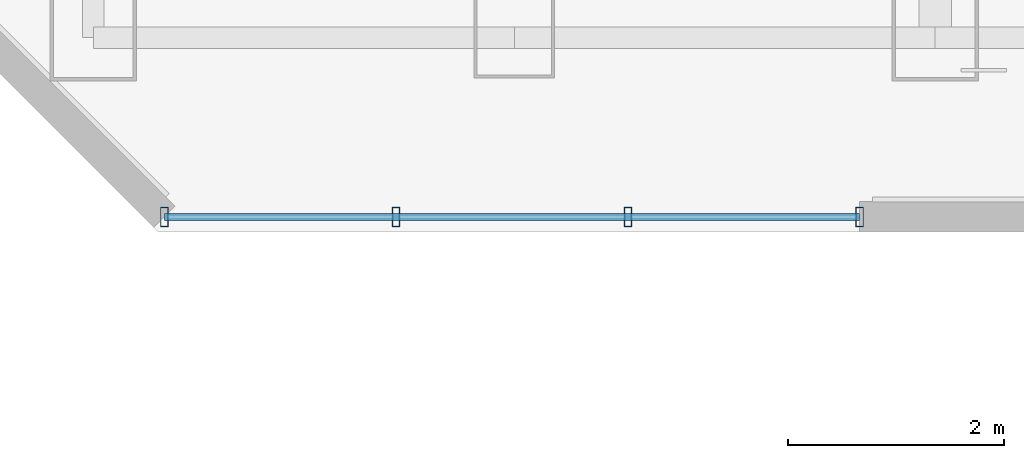
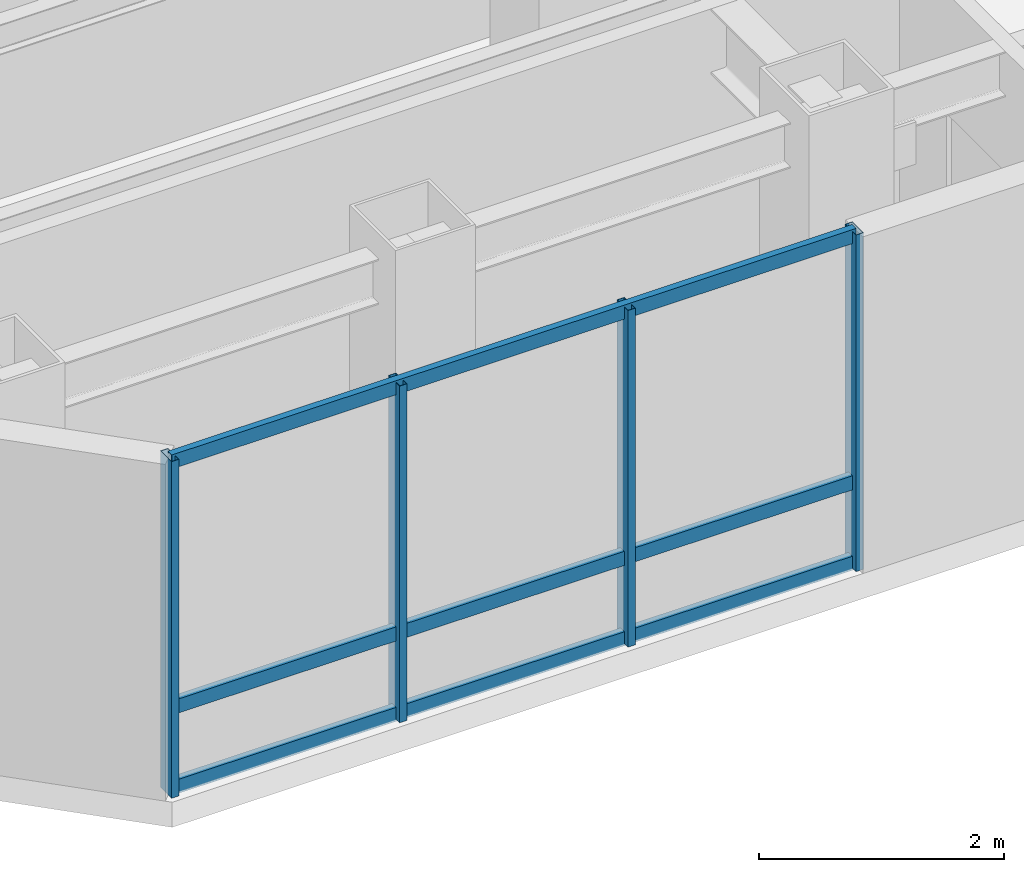
# One storey, part 2 of 27: 7 members, 1 element without a shape of its own.
"""IFC4 building model written with IfcOpenShell, lengths in metres."""

import ifcopenshell
import ifcopenshell.guid

model = None  # the IFC model being written
_history = None  # IfcOwnerHistory: only IFC2X3 demands one
_inside = {}  # id of a spatial element -> (the spatial element, [elements in it])
_under = {}  # id of a project, library or spatial element -> (it, [spatial elements below it])
_declared = {}  # id of a project -> (the project, [libraries it declares])
_typed = {}  # id of a type object -> (the type object, [elements of that type])
_made_of = {}  # id of a material, layer set ... -> (it, [elements and type objects made of it])


def new_model(schema):
    """Start an empty IFC model of exactly this schema.

    Asked for "IFC4X3", IfcOpenShell would pick the latest addendum, in which some entities
    have other attributes; the version numbers below select the first issue.
    IFC2X3 requires an IfcOwnerHistory on every rooted entity: one is made here for all.
    """
    global model, _history
    if schema == "IFC4X3":
        model = ifcopenshell.file(schema_version=(4, 3, 0, 0))
    else:
        model = ifcopenshell.file(schema=schema)
    _inside.clear()
    _under.clear()
    _declared.clear()
    _typed.clear()
    _made_of.clear()
    _history = None
    if model.schema == "IFC2X3":
        org = make("IfcOrganization", Name="unknown")
        user = make(
            "IfcPersonAndOrganization",
            ThePerson=make("IfcPerson", FamilyName="unknown"),
            TheOrganization=org,
        )
        app = make(
            "IfcApplication",
            ApplicationDeveloper=org,
            Version="unknown",
            ApplicationFullName="unknown",
            ApplicationIdentifier="unknown",
        )
        _history = make(
            "IfcOwnerHistory",
            OwningUser=user,
            OwningApplication=app,
            ChangeAction="ADDED",
            CreationDate=0,
        )
    return model


def make(cls, **values):
    """One entity of the class cls with the attributes given. An attribute that is None is left unset."""
    return model.create_entity(
        cls, **{name: value for name, value in values.items() if value is not None}
    )


def rooted(cls, **values):
    """An entity with a GlobalId (a new one), such as an element, a storey or a relation."""
    return make(cls, GlobalId=ifcopenshell.guid.new(), OwnerHistory=_history, **values)


def si_unit(unit_type, name, prefix=None):
    """IfcSIUnit, for example si_unit("LENGTHUNIT", "METRE", prefix="MILLI")."""
    return make("IfcSIUnit", UnitType=unit_type, Prefix=prefix, Name=name)


def assignment(units):
    """IfcUnitAssignment: the units of a project."""
    return None if units is None else make("IfcUnitAssignment", Units=units)


def point(xyz):
    """IfcCartesianPoint."""
    return None if xyz is None else make("IfcCartesianPoint", Coordinates=xyz)


def direction(xyz):
    """IfcDirection."""
    return None if xyz is None else make("IfcDirection", DirectionRatios=xyz)


def frame(location, z_axis=None, x_axis=None):
    """IfcAxis2Placement3D, a coordinate frame: its origin and axes. An axis left out is left unset."""
    return make(
        "IfcAxis2Placement3D",
        Location=point(location),
        Axis=direction(z_axis),
        RefDirection=direction(x_axis),
    )


def frame_2d(location, x_axis=None):
    """IfcAxis2Placement2D, a coordinate frame in the plane: its origin and x axis."""
    return make(
        "IfcAxis2Placement2D", Location=point(location), RefDirection=direction(x_axis)
    )


def origin():
    """The frame at (0, 0, 0) with its axes left unset."""
    return frame((0.0, 0.0, 0.0))


def origin_2d():
    """The frame at (0, 0) in the plane with its x axis left unset."""
    return frame_2d((0.0, 0.0))


def place(relative_to, where):
    """IfcLocalPlacement: puts the frame where relative to a parent placement (None: the world)."""
    return make(
        "IfcLocalPlacement", PlacementRelTo=relative_to, RelativePlacement=where
    )


def context(
    kind, dimensions, precision=None, world=None, true_north=None, identifier=None
):
    """IfcGeometricRepresentationContext, for example the 3D "Model" context."""
    return make(
        "IfcGeometricRepresentationContext",
        ContextIdentifier=identifier,
        ContextType=kind,
        CoordinateSpaceDimension=dimensions,
        Precision=precision,
        WorldCoordinateSystem=world,
        TrueNorth=true_north,
    )


def subcontext(parent, identifier, kind, view, scale=None):
    """IfcGeometricRepresentationSubContext, for example "Body" below "Model"."""
    return make(
        "IfcGeometricRepresentationSubContext",
        ContextIdentifier=identifier,
        ContextType=kind,
        ParentContext=parent,
        TargetScale=scale,
        TargetView=view,
    )


def project(units=None, contexts=None):
    """IfcProject with its units and contexts."""
    return rooted(
        "IfcProject",
        Name="project",
        RepresentationContexts=contexts,
        UnitsInContext=assignment(units),
    )


def spatial(cls, under=None, at=None, **own):
    """A site, building, storey or space (cls), placed at a placement, below another one or the project."""
    s = rooted(cls, ObjectPlacement=at, **own)
    if under is not None:
        _under.setdefault(under.id(), (under, []))[1].append(s)
    return s


def profile(cls, at=None, kind="AREA", **sizes):
    """A parametric profile (cls). Its sizes go by their IFC names, for example OverallWidth=200.0."""
    return make(cls, ProfileType=kind, Position=at, **sizes)


def hollow_rectangle(**sizes):
    """IfcRectangleHollowProfileDef."""
    return profile("IfcRectangleHollowProfileDef", **sizes)


def extrude(swept, where, along, depth):
    """IfcExtrudedAreaSolid: the profile swept, set in the frame where, extruded along a direction by depth."""
    return make(
        "IfcExtrudedAreaSolid",
        SweptArea=swept,
        Position=where,
        ExtrudedDirection=direction(along),
        Depth=depth,
    )


def shape(context_of_items, identifier, shape_type, items):
    """IfcShapeRepresentation: the items that make up one representation, for example the "Body"."""
    return make(
        "IfcShapeRepresentation",
        ContextOfItems=context_of_items,
        RepresentationIdentifier=identifier,
        RepresentationType=shape_type,
        Items=items,
    )


def material(Name=None, Category=None):
    """IfcMaterial."""
    return make("IfcMaterial", Name=Name, Category=Category)


def layer(
    of_material, thickness, ventilated=None, Name=None, Category=None, Priority=None
):
    """IfcMaterialLayer: one layer of a wall or slab, of a material (None: an air gap)."""
    return make(
        "IfcMaterialLayer",
        Material=of_material,
        LayerThickness=thickness,
        IsVentilated=ventilated,
        Name=Name,
        Category=Category,
        Priority=Priority,
    )


def layer_set(layers, Name=None):
    """IfcMaterialLayerSet."""
    return make("IfcMaterialLayerSet", MaterialLayers=layers, LayerSetName=Name)


def material_profile(
    of_material, cross_section, Name=None, Category=None, Priority=None
):
    """IfcMaterialProfile: a cross section and its material."""
    return make(
        "IfcMaterialProfile",
        Name=Name,
        Material=of_material,
        Profile=cross_section,
        Priority=Priority,
        Category=Category,
    )


def profile_set(profiles, Name=None, composite=None):
    """IfcMaterialProfileSet."""
    return make(
        "IfcMaterialProfileSet",
        Name=Name,
        MaterialProfiles=profiles,
        CompositeProfile=composite,
    )


def made_of(thing, what):
    """Note that an element or type object is made of a material, layer set ...; save() writes the relation."""
    if what is not None:
        _made_of.setdefault(what.id(), (what, []))[1].append(thing)
    return thing


def type_object(cls, material=None, **own):
    """A type object (cls), such as IfcWallType, which elements share."""
    return made_of(rooted(cls, **own), material)


def element(
    cls,
    number,
    at=None,
    inside=None,
    cuts=None,
    type_object=None,
    material=None,
    context=None,
    identifier="Body",
    shape_type=None,
    held_by="IfcProductDefinitionShape",
    body=None,
    shapes=None,
    **own,
):
    """One element of the class cls, such as IfcWall. Its Tag is "e" and its number.

    at: its placement. inside: the storey or other place that contains it. cuts: it is an
    opening in that element (IfcRelVoidsElement). A single representation is given by context,
    identifier, shape_type and body (its items); several are given by shapes. held_by: the class
    of the entity that holds the representations. save() writes the other relations.
    """
    e = rooted(cls, Tag="e%d" % number, ObjectPlacement=at, **own)
    if body is not None:
        shapes = [shape(context, identifier, shape_type, body)]
    if shapes is not None:
        e.Representation = make(held_by, Representations=shapes)
    if inside is not None:
        _inside.setdefault(inside.id(), (inside, []))[1].append(e)
    if cuts is not None:
        rooted(
            "IfcRelVoidsElement", RelatingBuildingElement=cuts, RelatedOpeningElement=e
        )
    if type_object is not None:
        _typed.setdefault(type_object.id(), (type_object, []))[1].append(e)
    return made_of(e, material)


def aggregate(whole, parts):
    """IfcRelAggregates: a whole, such as a stair, and the parts it consists of."""
    return rooted("IfcRelAggregates", RelatingObject=whole, RelatedObjects=parts)


def save(model, path):
    """Write the relations noted so far, then the file.

    IfcRelAggregates (storeys below a building ...), IfcRelContainedInSpatialStructure (elements
    in a storey), IfcRelDefinesByType, IfcRelAssociatesMaterial and IfcRelDeclares: one each for
    every whole, place, type object, material and project.
    """
    for whole, parts in _under.values():
        aggregate(whole, parts)
    for where, things in _inside.values():
        rooted(
            "IfcRelContainedInSpatialStructure",
            RelatedElements=things,
            RelatingStructure=where,
        )
    for kind, things in _typed.values():
        rooted("IfcRelDefinesByType", RelatedObjects=things, RelatingType=kind)
    for what, things in _made_of.values():
        rooted("IfcRelAssociatesMaterial", RelatedObjects=things, RelatingMaterial=what)
    for by, libraries in _declared.values():
        rooted("IfcRelDeclares", RelatingContext=by, RelatedDefinitions=libraries)
    model.write(path)


model = new_model("IFC4")

# Units and contexts
model_context = context("Model", 3, precision=1e-05, world=origin(), true_north=direction((0.0, 1.0)))
body_context = subcontext(model_context, "Body", "Model", "MODEL_VIEW")
ifc_project = project(units=[si_unit("LENGTHUNIT", "METRE"), si_unit("AREAUNIT", "SQUARE_METRE"), si_unit("VOLUMEUNIT", "CUBIC_METRE"), si_unit("PLANEANGLEUNIT", "RADIAN"), si_unit("MASSUNIT", "GRAM", prefix="KILO")], contexts=[model_context])

# Site, building, storey
site_placement = place(None, origin())
site = spatial("IfcSite", under=ifc_project, at=site_placement, CompositionType="ELEMENT")
building_placement = place(site_placement, origin())
building = spatial("IfcBuilding", under=site, at=building_placement, Name="Hatsunagi Terrace Concourse", CompositionType="ELEMENT")
storey_placement = place(building_placement, frame((0.0, 0.0, 163.64990234375)))
storey = spatial("IfcBuildingStorey", under=building, at=storey_placement, Name="L43", CompositionType="ELEMENT", Elevation=163.64990234375)

# Curtain wall, members
ifc_material_1 = material(Name="Anodised Aluminium Alloy 6063-T5", Category="aluminium")
ifc_layer = layer(ifc_material_1, 0.199951171875)
ifc_layer_set = layer_set([ifc_layer], Name="OfficeZone1_CW03")
curtain_wall_type = type_object("IfcCurtainWallType", Name="OfficeZone1_CW03", PredefinedType="NOTDEFINED", material=ifc_layer_set)
curtain_wall_placement = place(storey_placement, origin())
curtain_wall = element("IfcCurtainWall", 1, at=curtain_wall_placement, inside=storey, type_object=curtain_wall_type, Name="Unitised Curtain Wall CW-03 CW-L43-07", PredefinedType="NOTDEFINED")
ifc_material_2 = material(Name="Anodised Aluminium Alloy 6063-T5", Category="aluminium")
ifc_material_profile_1 = material_profile(ifc_material_2, hollow_rectangle(XDim=0.070068359375, YDim=0.179931640625, WallThickness=0.00390625, at=origin_2d()), Name="ALU-MUL-180x70x4")
ifc_profile_set_1 = profile_set([ifc_material_profile_1], Name="Anodised Aluminium Alloy 6063-T5")
member_type_1 = type_object("IfcMemberType", Name="CurtainWallMullion_180x70", PredefinedType="MULLION", material=ifc_profile_set_1)
member_1_placement = place(storey_placement, frame((18.5, 23.5400390625, 0.0), z_axis=(0.0, 0.0, 1.0), x_axis=(-1.0, 0.0, 0.0)))
member_1 = element("IfcMember", 2, at=member_1_placement, type_object=member_type_1, Name="Curtain Wall Mullion MUL-02", PredefinedType="MULLION", context=body_context, shape_type="SweptSolid", body=[
    extrude(hollow_rectangle(XDim=0.070068359375, YDim=0.179931640625, WallThickness=0.00390625, at=origin_2d()), origin(), (0.0, 0.0, 1.0), 3.35009765625),
])
member_2_placement = place(storey_placement, frame((16.35302734375, 23.5400390625, 0.0), z_axis=(0.0, 0.0, 1.0), x_axis=(-1.0, 0.0, 0.0)))
member_2 = element("IfcMember", 3, at=member_2_placement, type_object=member_type_1, Name="Curtain Wall Mullion MUL-02", PredefinedType="MULLION", context=body_context, shape_type="SweptSolid", body=[
    extrude(hollow_rectangle(XDim=0.070068359375, YDim=0.179931640625, WallThickness=0.00390625, at=origin_2d()), origin(), (0.0, 0.0, 1.0), 3.35009765625),
])
member_3_placement = place(storey_placement, frame((14.205078125, 23.5400390625, 0.0), z_axis=(0.0, 0.0, 1.0), x_axis=(-1.0, 0.0, 0.0)))
member_3 = element("IfcMember", 4, at=member_3_placement, type_object=member_type_1, Name="Curtain Wall Mullion MUL-02", PredefinedType="MULLION", context=body_context, shape_type="SweptSolid", body=[
    extrude(hollow_rectangle(XDim=0.070068359375, YDim=0.179931640625, WallThickness=0.00390625, at=origin_2d()), origin(), (0.0, 0.0, 1.0), 3.35009765625),
])
member_4_placement = place(storey_placement, frame((12.05810546875, 23.5400390625, 0.0), z_axis=(0.0, 0.0, 1.0), x_axis=(-1.0, 0.0, 0.0)))
member_4 = element("IfcMember", 5, at=member_4_placement, type_object=member_type_1, Name="Curtain Wall Mullion MUL-02", PredefinedType="MULLION", context=body_context, shape_type="SweptSolid", body=[
    extrude(hollow_rectangle(XDim=0.070068359375, YDim=0.179931640625, WallThickness=0.00390625, at=origin_2d()), origin(), (0.0, 0.0, 1.0), 3.35009765625),
])
ifc_material_3 = material(Name="Anodised Aluminium Alloy 6063-T5", Category="aluminium")
ifc_material_profile_2 = material_profile(ifc_material_3, hollow_rectangle(XDim=0.06494140625, YDim=0.139892578125, WallThickness=0.00390625, at=origin_2d()), Name="ALU-TRN-140x65x4")
ifc_profile_set_2 = profile_set([ifc_material_profile_2], Name="Anodised Aluminium Alloy 6063-T5")
member_type_2 = type_object("IfcMemberType", Name="CurtainWallTransom_140x65", PredefinedType="USERDEFINED", material=ifc_profile_set_2)
member_5_placement = place(storey_placement, frame((18.5, 23.5400390625, 0.050048828125), z_axis=(-1.0, 0.0, 0.0), x_axis=(0.0, -1.0, 0.0)))
member_5 = element("IfcMember", 6, at=member_5_placement, type_object=member_type_2, Name="Curtain Wall Transom TRN-02", ObjectType="TRANSOM", PredefinedType="USERDEFINED", context=body_context, shape_type="SweptSolid", body=[
    extrude(hollow_rectangle(XDim=0.06494140625, YDim=0.139892578125, WallThickness=0.00390625, at=origin_2d()), origin(), (0.0, 0.0, 1.0), 6.44189453125),
])
member_6_placement = place(storey_placement, frame((18.5, 23.5400390625, 0.85009765625), z_axis=(-1.0, 0.0, 0.0), x_axis=(0.0, -1.0, 0.0)))
member_6 = element("IfcMember", 7, at=member_6_placement, type_object=member_type_2, Name="Curtain Wall Transom TRN-02", ObjectType="TRANSOM", PredefinedType="USERDEFINED", context=body_context, shape_type="SweptSolid", body=[
    extrude(hollow_rectangle(XDim=0.06494140625, YDim=0.139892578125, WallThickness=0.00390625, at=origin_2d()), origin(), (0.0, 0.0, 1.0), 6.44189453125),
])
member_7_placement = place(storey_placement, frame((18.5, 23.5400390625, 3.300048828125), z_axis=(-1.0, 0.0, 0.0), x_axis=(0.0, -1.0, 0.0)))
member_7 = element("IfcMember", 8, at=member_7_placement, type_object=member_type_2, Name="Curtain Wall Transom TRN-02", ObjectType="TRANSOM", PredefinedType="USERDEFINED", context=body_context, shape_type="SweptSolid", body=[
    extrude(hollow_rectangle(XDim=0.06494140625, YDim=0.139892578125, WallThickness=0.00390625, at=origin_2d()), origin(), (0.0, 0.0, 1.0), 6.44189453125),
])
aggregate(curtain_wall, [member_1, member_2, member_3, member_4, member_5, member_6, member_7])

save(model, "model.ifc")
